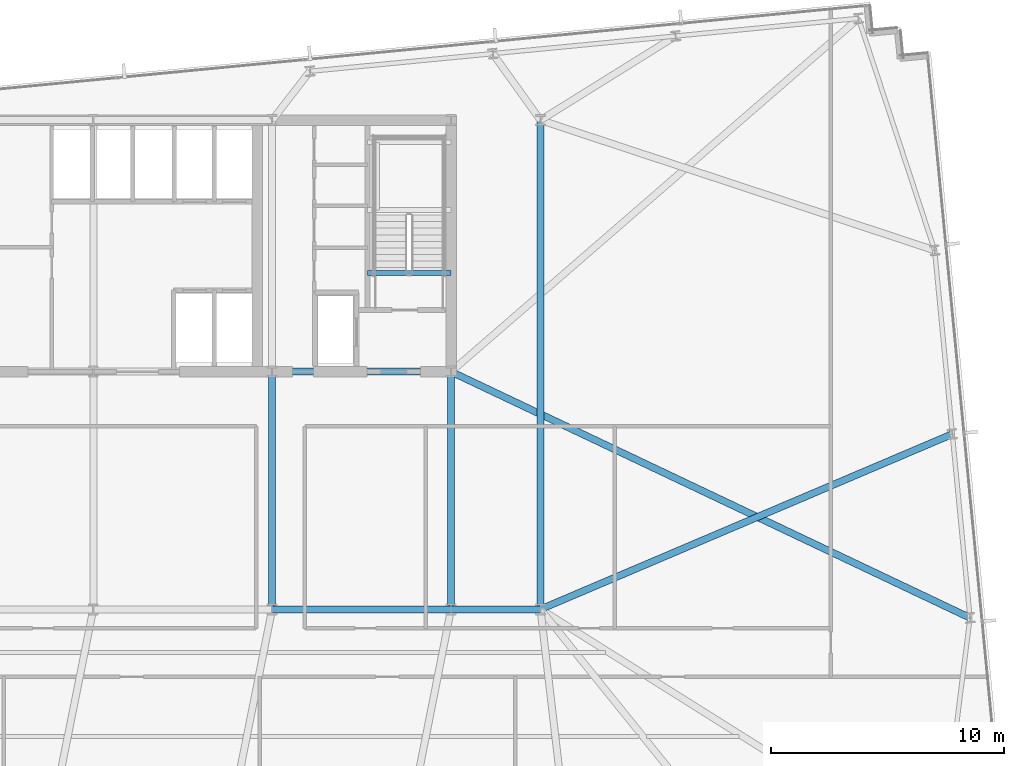
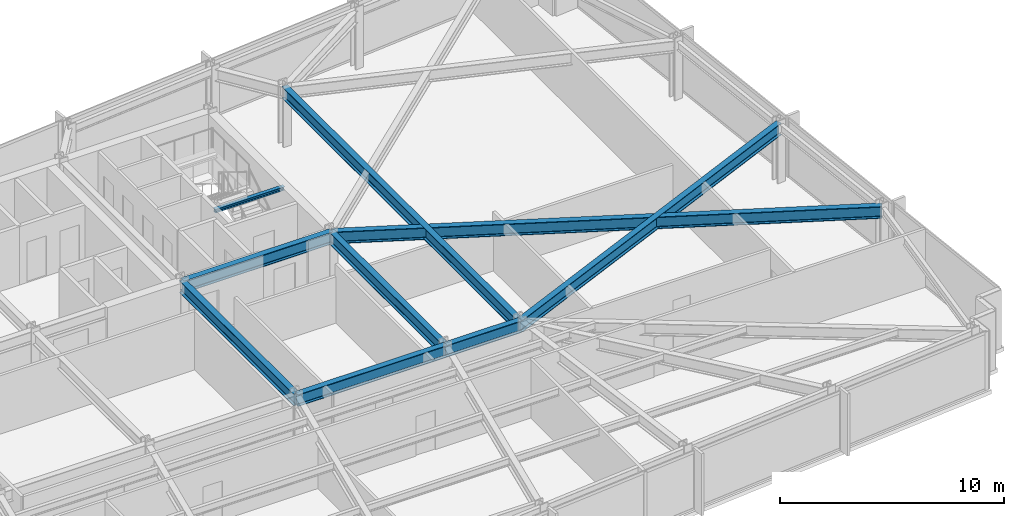
# One storey, part 15 of 32: 9 beams.
"""IFC4 building model written with IfcOpenShell, lengths in metres."""

from ifc_helpers import new_model, si_unit, direction, frame, origin, origin_2d, place, context, subcontext, project, spatial, i_section, extrude, material, material_profile, profile_set, type_object, element, save


model = new_model("IFC4")

# Units and contexts
model_context = context("Model", 3, precision=1e-05, world=origin(), true_north=direction((0.0, 1.0)))
body_context = subcontext(model_context, "Body", "Model", "MODEL_VIEW")
ifc_project = project(units=[si_unit("LENGTHUNIT", "METRE"), si_unit("AREAUNIT", "SQUARE_METRE"), si_unit("VOLUMEUNIT", "CUBIC_METRE"), si_unit("PLANEANGLEUNIT", "RADIAN"), si_unit("MASSUNIT", "GRAM", prefix="KILO")], contexts=[model_context])

# Site, building, storey
site_placement = place(None, origin())
site = spatial("IfcSite", under=ifc_project, at=site_placement, CompositionType="ELEMENT")
building_placement = place(site_placement, origin())
building = spatial("IfcBuilding", under=site, at=building_placement, Name="Yelkora Congress Tower", CompositionType="ELEMENT")
storey_placement = place(building_placement, frame((0.0, 0.0, 99.89990234375)))
storey = spatial("IfcBuildingStorey", under=building, at=storey_placement, Name="L26", CompositionType="ELEMENT", Elevation=99.89990234375)

# Beams
ifc_material = material(Name="Steel S355J2", Category="steel")
ifc_material_profile_1 = material_profile(ifc_material, i_section(OverallWidth=0.300048828125, OverallDepth=0.64990234375, WebThickness=0.01611328125, FlangeThickness=0.031005859375, FilletRadius=0.027099609375, at=origin_2d()), Name="HEB 650")
ifc_profile_set_1 = profile_set([ifc_material_profile_1], Name="Steel S355J2")
beam_type_1 = type_object("IfcBeamType", Name="BM-GIRD-HEB650", PredefinedType="BEAM", material=ifc_profile_set_1)
beam_1_placement = place(storey_placement, frame((46.080078125, 25.199951171875, 2.85498046875), z_axis=(1.0, 0.0, 0.0), x_axis=(0.0, 1.0, 0.0)))
element("IfcBeam", 1, at=beam_1_placement, inside=storey, type_object=beam_type_1, Name="L26 Spine Grid D Girder 5", PredefinedType="BEAM", context=body_context, shape_type="SweptSolid", body=[
    extrude(i_section(OverallWidth=0.300048828125, OverallDepth=0.64990234375, WebThickness=0.01611328125, FlangeThickness=0.031005859375, FilletRadius=0.027099609375, at=origin_2d()), origin(), (0.0, 0.0, 1.0), 7.679931640625),
])
beam_2_placement = place(storey_placement, frame((53.760009765625, 25.199951171875, 2.85498046875), z_axis=(1.0, 0.0, 0.0), x_axis=(0.0, 1.0, 0.0)))
element("IfcBeam", 2, at=beam_2_placement, inside=storey, type_object=beam_type_1, Name="L26 Spine Grid D Girder 6", PredefinedType="BEAM", context=body_context, shape_type="SweptSolid", body=[
    extrude(i_section(OverallWidth=0.300048828125, OverallDepth=0.64990234375, WebThickness=0.01611328125, FlangeThickness=0.031005859375, FilletRadius=0.027099609375, at=origin_2d()), origin(), (0.0, 0.0, 1.0), 3.840087890625),
])
beam_3_placement = place(storey_placement, frame((46.080078125, 35.39990234375, 2.85498046875), z_axis=(1.0, 0.0, 0.0), x_axis=(0.0, 1.0, 0.0)))
element("IfcBeam", 3, at=beam_3_placement, inside=storey, type_object=beam_type_1, Name="L26 Core South Girder 4", PredefinedType="BEAM", context=body_context, shape_type="SweptSolid", body=[
    extrude(i_section(OverallWidth=0.300048828125, OverallDepth=0.64990234375, WebThickness=0.01611328125, FlangeThickness=0.031005859375, FilletRadius=0.027099609375, at=origin_2d()), origin(), (0.0, 0.0, 1.0), 7.679931640625),
])
for number, where, z_axis, x_axis, name in (
    (4, (46.080078125, 25.199951171875, 2.85498046875), (0.0, 1.0, 0.0), (-1.0, 0.0, 0.0), "L26 Core Tie Girder MC-D4"),
    (5, (53.760009765625, 25.199951171875, 2.85498046875), (0.0, 1.0, 0.0), (-1.0, 0.0, 0.0), "L26 Core Tie Girder MC-D5"),
):
    element("IfcBeam", number, at=place(storey_placement, frame(where, z_axis=z_axis, x_axis=x_axis)), inside=storey, type_object=beam_type_1, Name=name, PredefinedType="BEAM", context=body_context, shape_type="SweptSolid", body=[
        extrude(i_section(OverallWidth=0.300048828125, OverallDepth=0.64990234375, WebThickness=0.01611328125, FlangeThickness=0.031005859375, FilletRadius=0.027099609375, at=origin_2d()), origin(), (0.0, 0.0, 1.0), 10.199951171875),
    ])
beam_4_placement = place(storey_placement, frame((57.60009765625, 25.199951171875, 2.85498046875), z_axis=(0.0, 1.0, 0.0), x_axis=(-1.0, 0.0, 0.0)))
element("IfcBeam", 6, at=beam_4_placement, inside=storey, type_object=beam_type_1, Name="L26 Neck Flank Girder MC-F2", PredefinedType="BEAM", context=body_context, shape_type="SweptSolid", body=[
    extrude(i_section(OverallWidth=0.300048828125, OverallDepth=0.64990234375, WebThickness=0.01611328125, FlangeThickness=0.031005859375, FilletRadius=0.027099609375, at=origin_2d()), origin(), (0.0, 0.0, 1.0), 21.0),
])
beam_5_placement = place(storey_placement, frame((76.041259765625, 24.83349609375, 2.85498046875), z_axis=(-0.903547447445, 0.428488051427, 0.0), x_axis=(-0.428488051427, -0.903547447445, 0.0)))
element("IfcBeam", 7, at=beam_5_placement, inside=storey, type_object=beam_type_1, Name="L26 Primary Frame Girder E01", PredefinedType="BEAM", context=body_context, shape_type="SweptSolid", body=[
    extrude(i_section(OverallWidth=0.300048828125, OverallDepth=0.64990234375, WebThickness=0.01611328125, FlangeThickness=0.031005859375, FilletRadius=0.027099609375, at=origin_2d()), origin(), (0.0, 0.0, 1.0), 24.65966796875),
])
beam_6_placement = place(storey_placement, frame((75.28173828125, 32.721923828125, 2.85498046875), z_axis=(-0.920194564302, -0.391461318432, 0.0), x_axis=(0.391461318432, -0.920194564302, 0.0)))
element("IfcBeam", 8, at=beam_6_placement, inside=storey, type_object=beam_type_1, Name="L26 Primary Frame Girder E02", PredefinedType="BEAM", context=body_context, shape_type="SweptSolid", body=[
    extrude(i_section(OverallWidth=0.300048828125, OverallDepth=0.64990234375, WebThickness=0.01611328125, FlangeThickness=0.031005859375, FilletRadius=0.027099609375, at=origin_2d()), origin(), (0.0, 0.0, 1.0), 19.215087890625),
])
ifc_material_profile_2 = material_profile(ifc_material, i_section(OverallWidth=0.199951171875, OverallDepth=0.18994140625, WebThickness=0.006591796875, FlangeThickness=0.010009765625, FilletRadius=0.01806640625, at=origin_2d()), Name="HEA 200")
ifc_profile_set_2 = profile_set([ifc_material_profile_2], Name="Steel S355J2")
beam_type_2 = type_object("IfcBeamType", Name="BM-LAND-HEA200", PredefinedType="BEAM", material=ifc_profile_set_2)
beam_7_placement = place(storey_placement, frame((50.179931640625, 39.639892578125, 2.947509765625), z_axis=(1.0, 0.0, 0.0), x_axis=(0.0, 1.0, 0.0)))
element("IfcBeam", 9, at=beam_7_placement, inside=storey, type_object=beam_type_2, Name="ST-02 L26 Floor Arrival Stringer Header Beam", PredefinedType="BEAM", context=body_context, shape_type="SweptSolid", body=[
    extrude(i_section(OverallWidth=0.199951171875, OverallDepth=0.18994140625, WebThickness=0.006591796875, FlangeThickness=0.010009765625, FilletRadius=0.01806640625, at=origin_2d()), origin(), (0.0, 0.0, 1.0), 3.580078125),
])

save(model, "model.ifc")
